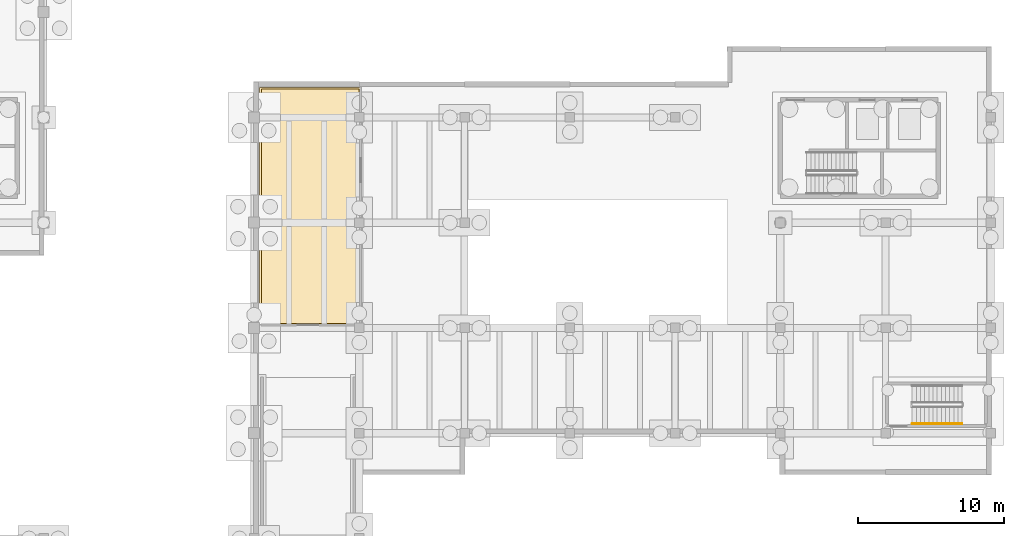
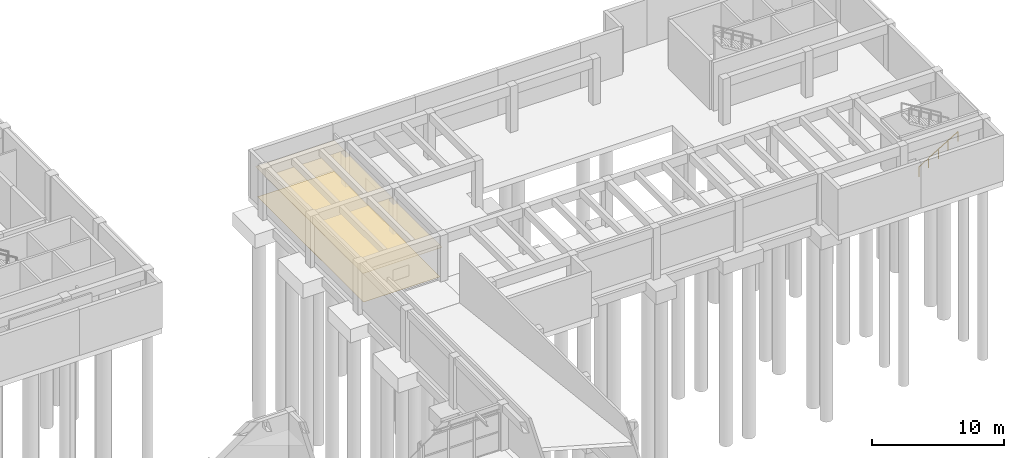
# One storey, part 25 of 28: 2 coverings, 1 railing.
"""IFC4 building model written with IfcOpenShell, lengths in metres."""

from ifc_helpers import new_model, si_unit, direction, frame, origin, origin_2d, place, context, subcontext, project, spatial, polyline, circle, outline, extrude, material, layer, layer_set, type_object, element, save


model = new_model("IFC4")

# Units and contexts
model_context = context("Model", 3, precision=1e-05, world=origin(), true_north=direction((0.0, 1.0)))
body_context = subcontext(model_context, "Body", "Model", "MODEL_VIEW")
ifc_project = project(units=[si_unit("LENGTHUNIT", "METRE"), si_unit("AREAUNIT", "SQUARE_METRE"), si_unit("VOLUMEUNIT", "CUBIC_METRE"), si_unit("PLANEANGLEUNIT", "RADIAN"), si_unit("MASSUNIT", "GRAM", prefix="KILO")], contexts=[model_context])

# Site, building, storey
site_placement = place(None, origin())
site = spatial("IfcSite", under=ifc_project, at=site_placement, CompositionType="ELEMENT")
building_placement = place(site_placement, origin())
building = spatial("IfcBuilding", under=site, at=building_placement, Name="Bramvelor Terrace Health Centre", CompositionType="ELEMENT")
storey_placement = place(building_placement, frame((0.0, 0.0, -4.5)))
storey = spatial("IfcBuildingStorey", under=building, at=storey_placement, Name="B1", CompositionType="ELEMENT", Elevation=-4.5)

# Coverings
ifc_material_1 = material(Name="Hygienic mineral-fibre acoustic ceiling", Category="gypsum")
ifc_layer_1 = layer(ifc_material_1, 0.02001953125)
ifc_layer_set_1 = layer_set([ifc_layer_1], Name="Hygienic mineral-fibre acoustic ceiling")
covering_type_1 = type_object("IfcCoveringType", Name="COV-CLG-ACT", PredefinedType="CEILING", material=ifc_layer_set_1)
covering_1_placement = place(storey_placement, frame((0.0, 0.0, 2.75)))
element("IfcCovering", 1, at=covering_1_placement, inside=storey, type_object=covering_type_1, Name="B1 Ambulance Decontamination Bay Acoustic Ceiling", PredefinedType="CEILING", context=body_context, shape_type="SweptSolid", body=[
    extrude(outline(polyline([(43.60009765625, 79.3798828125), (43.597900390625, 79.380126953125), (43.59619140625, 79.38037109375), (43.59423828125, 79.380859375), (43.59228515625, 79.381591796875), (43.590576171875, 79.38232421875), (43.5888671875, 79.38330078125), (43.58740234375, 79.384521484375), (43.5859375, 79.385986328125), (43.58447265625, 79.38720703125), (43.58349609375, 79.388916015625), (43.58251953125, 79.390625), (43.58154296875, 79.392333984375), (43.580810546875, 79.394287109375), (43.580322265625, 79.39599609375), (43.580078125, 79.39794921875), (43.580078125, 79.39990234375), (43.580078125, 95.639892578125), (43.580078125, 95.64208984375), (43.580322265625, 95.643798828125), (43.580810546875, 95.645751953125), (43.58154296875, 95.647705078125), (43.58251953125, 95.6494140625), (43.58349609375, 95.651123046875), (43.58447265625, 95.652587890625), (43.5859375, 95.654052734375), (43.58740234375, 95.655517578125), (43.5888671875, 95.656494140625), (43.590576171875, 95.65771484375), (43.59228515625, 95.658447265625), (43.59423828125, 95.6591796875), (43.59619140625, 95.65966796875), (43.597900390625, 95.659912109375), (43.60009765625, 95.659912109375), (50.489990234375, 95.659912109375), (50.491943359375, 95.659912109375), (50.493896484375, 95.65966796875), (50.495849609375, 95.6591796875), (50.497802734375, 95.658447265625), (50.49951171875, 95.65771484375), (50.501220703125, 95.656494140625), (50.502685546875, 95.655517578125), (50.504150390625, 95.654052734375), (50.505615234375, 95.652587890625), (50.506591796875, 95.651123046875), (50.507568359375, 95.6494140625), (50.508544921875, 95.647705078125), (50.509033203125, 95.645751953125), (50.509521484375, 95.643798828125), (50.510009765625, 95.64208984375), (50.510009765625, 95.639892578125), (50.510009765625, 79.39990234375), (50.510009765625, 79.39794921875), (50.509521484375, 79.39599609375), (50.509033203125, 79.394287109375), (50.508544921875, 79.392333984375), (50.507568359375, 79.390625), (50.506591796875, 79.388916015625), (50.505615234375, 79.38720703125), (50.504150390625, 79.385986328125), (50.502685546875, 79.384521484375), (50.501220703125, 79.38330078125), (50.49951171875, 79.38232421875), (50.497802734375, 79.381591796875), (50.495849609375, 79.380859375), (50.493896484375, 79.38037109375), (50.491943359375, 79.380126953125), (50.489990234375, 79.3798828125), (43.60009765625, 79.3798828125)])), origin(), (0.0, 0.0, 1.0), 0.02001953125),
])
ifc_material_2 = material(Name="Seamless antimicrobial clinical vinyl", Category="polymer")
ifc_layer_2 = layer(ifc_material_2, 0.008056640625)
ifc_layer_set_2 = layer_set([ifc_layer_2], Name="Seamless antimicrobial clinical vinyl")
covering_type_2 = type_object("IfcCoveringType", Name="COV-FLR-VNL", PredefinedType="FLOORING", material=ifc_layer_set_2)
covering_2_placement = place(storey_placement, origin())
element("IfcCovering", 2, at=covering_2_placement, inside=storey, type_object=covering_type_2, Name="B1 Ambulance Decontamination Bay Clinical Vinyl Flooring", PredefinedType="FLOORING", context=body_context, shape_type="SweptSolid", body=[
    extrude(outline(polyline([(43.699951171875, 79.5), (43.699951171875, 95.5400390625), (50.389892578125, 95.5400390625), (50.389892578125, 79.5), (43.699951171875, 79.5)])), origin(), (0.0, 0.0, 1.0), 0.008056640625),
])

# Railing
ifc_material_3 = material(Name="Brushed stainless steel 316", Category="steel")
railing_type = type_object("IfcRailingType", Name="RLG-HR-900", PredefinedType="HANDRAIL", material=ifc_material_3)
railing_placement = place(storey_placement, frame((88.219970703125, 72.64990234375, 0.173095703125)))
element("IfcRailing", 3, at=railing_placement, inside=storey, type_object=railing_type, Name="B1 ST-8 stair handrail 1", PredefinedType="HANDRAIL", context=body_context, shape_type="SweptSolid", body=[
    extrude(circle(Radius=0.02392578125, at=origin_2d()), frame((0.0, 0.0, 0.8759765625), z_axis=(0.854729506542, 0.0, 0.519073665916), x_axis=(0.0, 1.0, 0.0)), (0.0, 0.0, 1.0), 4.001220703125),
    extrude(circle(Radius=0.02099609375, at=origin_2d()), origin(), (0.0, 0.0, 1.0), 0.851806640625),
    extrude(circle(Radius=0.02099609375, at=origin_2d()), frame((0.85498046875, 0.0, 0.519287109375)), (0.0, 0.0, 1.0), 0.851806640625),
    extrude(circle(Radius=0.02099609375, at=origin_2d()), frame((1.7099609375, 0.0, 1.03857421875)), (0.0, 0.0, 1.0), 0.851806640625),
    extrude(circle(Radius=0.02099609375, at=origin_2d()), frame((2.56494140625, 0.0, 1.5576171875)), (0.0, 0.0, 1.0), 0.851806640625),
    extrude(circle(Radius=0.02099609375, at=origin_2d()), frame((3.419921875, 0.0, 2.076904296875)), (0.0, 0.0, 1.0), 0.851806640625),
])

save(model, "model.ifc")
